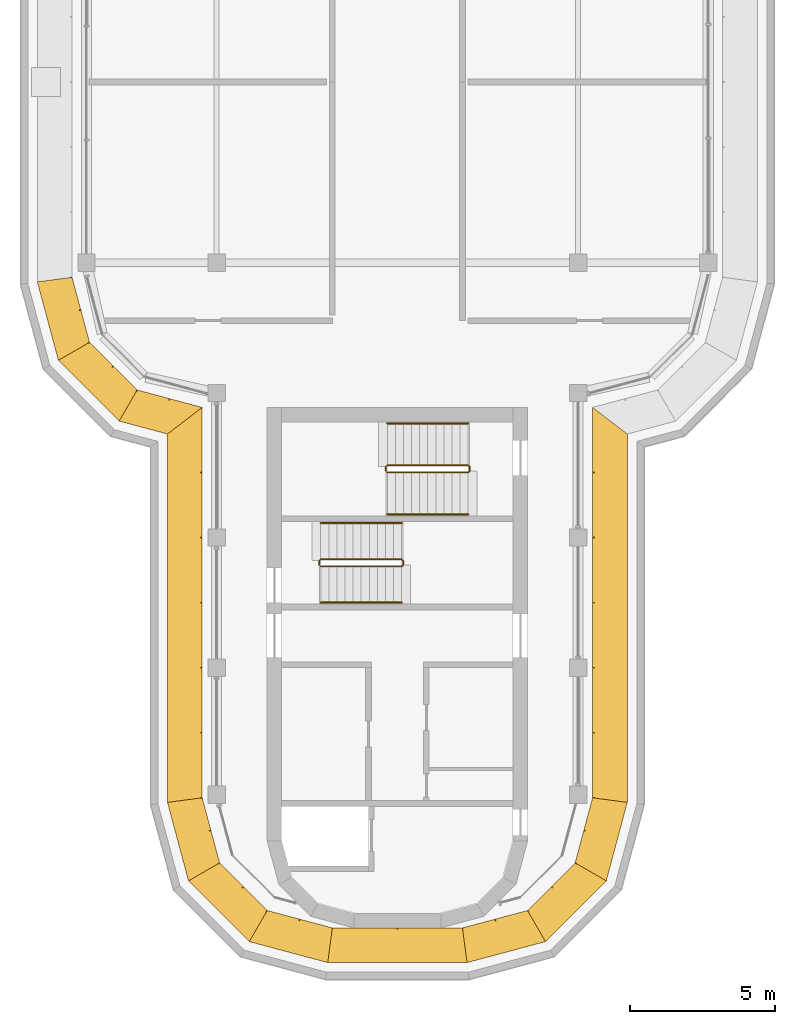
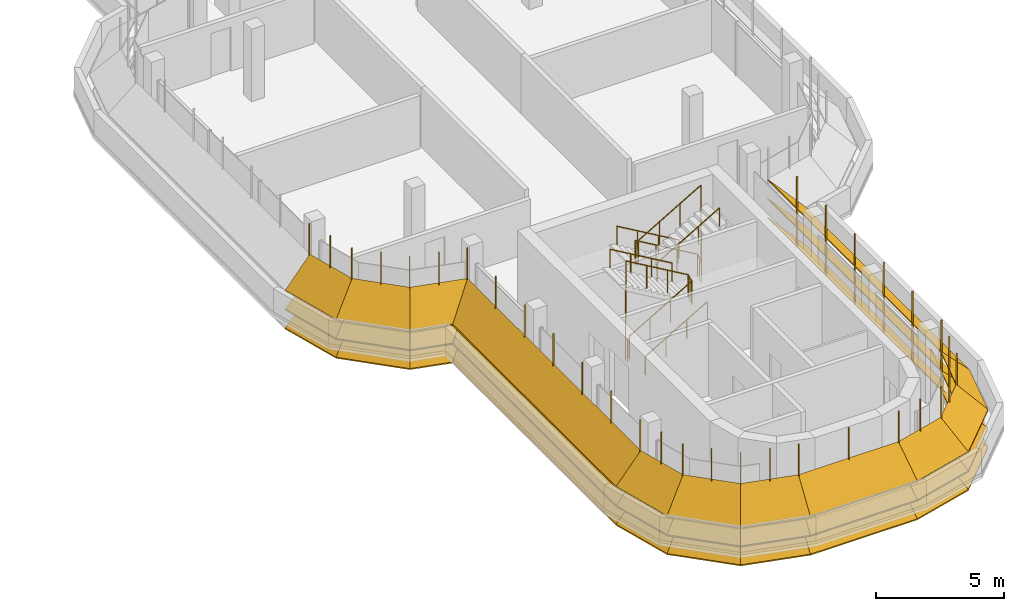
# One storey, part 11 of 13: 6 railings, 6 shading devices.
"""IFC4 building model written with IfcOpenShell, lengths in metres."""

import ifcopenshell
import ifcopenshell.guid

model = None  # the IFC model being written
_history = None  # IfcOwnerHistory: only IFC2X3 demands one
_inside = {}  # id of a spatial element -> (the spatial element, [elements in it])
_under = {}  # id of a project, library or spatial element -> (it, [spatial elements below it])
_declared = {}  # id of a project -> (the project, [libraries it declares])
_typed = {}  # id of a type object -> (the type object, [elements of that type])
_made_of = {}  # id of a material, layer set ... -> (it, [elements and type objects made of it])


def new_model(schema):
    """Start an empty IFC model of exactly this schema.

    Asked for "IFC4X3", IfcOpenShell would pick the latest addendum, in which some entities
    have other attributes; the version numbers below select the first issue.
    IFC2X3 requires an IfcOwnerHistory on every rooted entity: one is made here for all.
    """
    global model, _history
    if schema == "IFC4X3":
        model = ifcopenshell.file(schema_version=(4, 3, 0, 0))
    else:
        model = ifcopenshell.file(schema=schema)
    _inside.clear()
    _under.clear()
    _declared.clear()
    _typed.clear()
    _made_of.clear()
    _history = None
    if model.schema == "IFC2X3":
        org = make("IfcOrganization", Name="unknown")
        user = make(
            "IfcPersonAndOrganization",
            ThePerson=make("IfcPerson", FamilyName="unknown"),
            TheOrganization=org,
        )
        app = make(
            "IfcApplication",
            ApplicationDeveloper=org,
            Version="unknown",
            ApplicationFullName="unknown",
            ApplicationIdentifier="unknown",
        )
        _history = make(
            "IfcOwnerHistory",
            OwningUser=user,
            OwningApplication=app,
            ChangeAction="ADDED",
            CreationDate=0,
        )
    return model


def make(cls, **values):
    """One entity of the class cls with the attributes given. An attribute that is None is left unset."""
    return model.create_entity(
        cls, **{name: value for name, value in values.items() if value is not None}
    )


def rooted(cls, **values):
    """An entity with a GlobalId (a new one), such as an element, a storey or a relation."""
    return make(cls, GlobalId=ifcopenshell.guid.new(), OwnerHistory=_history, **values)


def si_unit(unit_type, name, prefix=None):
    """IfcSIUnit, for example si_unit("LENGTHUNIT", "METRE", prefix="MILLI")."""
    return make("IfcSIUnit", UnitType=unit_type, Prefix=prefix, Name=name)


def assignment(units):
    """IfcUnitAssignment: the units of a project."""
    return None if units is None else make("IfcUnitAssignment", Units=units)


def point(xyz):
    """IfcCartesianPoint."""
    return None if xyz is None else make("IfcCartesianPoint", Coordinates=xyz)


def direction(xyz):
    """IfcDirection."""
    return None if xyz is None else make("IfcDirection", DirectionRatios=xyz)


def frame(location, z_axis=None, x_axis=None):
    """IfcAxis2Placement3D, a coordinate frame: its origin and axes. An axis left out is left unset."""
    return make(
        "IfcAxis2Placement3D",
        Location=point(location),
        Axis=direction(z_axis),
        RefDirection=direction(x_axis),
    )


def frame_2d(location, x_axis=None):
    """IfcAxis2Placement2D, a coordinate frame in the plane: its origin and x axis."""
    return make(
        "IfcAxis2Placement2D", Location=point(location), RefDirection=direction(x_axis)
    )


def origin():
    """The frame at (0, 0, 0) with its axes left unset."""
    return frame((0.0, 0.0, 0.0))


def origin_2d():
    """The frame at (0, 0) in the plane with its x axis left unset."""
    return frame_2d((0.0, 0.0))


def place(relative_to, where):
    """IfcLocalPlacement: puts the frame where relative to a parent placement (None: the world)."""
    return make(
        "IfcLocalPlacement", PlacementRelTo=relative_to, RelativePlacement=where
    )


def context(
    kind, dimensions, precision=None, world=None, true_north=None, identifier=None
):
    """IfcGeometricRepresentationContext, for example the 3D "Model" context."""
    return make(
        "IfcGeometricRepresentationContext",
        ContextIdentifier=identifier,
        ContextType=kind,
        CoordinateSpaceDimension=dimensions,
        Precision=precision,
        WorldCoordinateSystem=world,
        TrueNorth=true_north,
    )


def subcontext(parent, identifier, kind, view, scale=None):
    """IfcGeometricRepresentationSubContext, for example "Body" below "Model"."""
    return make(
        "IfcGeometricRepresentationSubContext",
        ContextIdentifier=identifier,
        ContextType=kind,
        ParentContext=parent,
        TargetScale=scale,
        TargetView=view,
    )


def project(units=None, contexts=None):
    """IfcProject with its units and contexts."""
    return rooted(
        "IfcProject",
        Name="project",
        RepresentationContexts=contexts,
        UnitsInContext=assignment(units),
    )


def spatial(cls, under=None, at=None, **own):
    """A site, building, storey or space (cls), placed at a placement, below another one or the project."""
    s = rooted(cls, ObjectPlacement=at, **own)
    if under is not None:
        _under.setdefault(under.id(), (under, []))[1].append(s)
    return s


def polyline(points):
    """IfcPolyline through the points."""
    return make("IfcPolyline", Points=[point(p) for p in points])


def profile(cls, at=None, kind="AREA", **sizes):
    """A parametric profile (cls). Its sizes go by their IFC names, for example OverallWidth=200.0."""
    return make(cls, ProfileType=kind, Position=at, **sizes)


def circle(**sizes):
    """IfcCircleProfileDef."""
    return profile("IfcCircleProfileDef", **sizes)


def outline(outer, holes=None, kind="AREA"):
    """IfcArbitraryClosedProfileDef: a profile drawn as a closed curve; with holes, ...WithVoids."""
    if holes is None:
        return make("IfcArbitraryClosedProfileDef", ProfileType=kind, OuterCurve=outer)
    return make(
        "IfcArbitraryProfileDefWithVoids",
        ProfileType=kind,
        OuterCurve=outer,
        InnerCurves=holes,
    )


def extrude(swept, where, along, depth):
    """IfcExtrudedAreaSolid: the profile swept, set in the frame where, extruded along a direction by depth."""
    return make(
        "IfcExtrudedAreaSolid",
        SweptArea=swept,
        Position=where,
        ExtrudedDirection=direction(along),
        Depth=depth,
    )


def faces_of(points, faces, orient=None, outer=None):
    """IfcFace entities. A face is a list of loops; a loop is a list of indices into points, from 0.

    orient and outer hold one flag for each loop. By default every Orientation is true, the
    first loop of a face is its IfcFaceOuterBound and the others are IfcFaceBound.
    """
    made = []
    for i, loops in enumerate(faces):
        bounds = []
        for j, loop in enumerate(loops):
            is_outer = j == 0 if outer is None else outer[i][j]
            bounds.append(
                make(
                    "IfcFaceOuterBound" if is_outer else "IfcFaceBound",
                    Bound=make("IfcPolyLoop", Polygon=[points[k] for k in loop]),
                    Orientation=True if orient is None else orient[i][j],
                )
            )
        made.append(make("IfcFace", Bounds=bounds))
    return made


def faceted_brep(points, faces, orient=None, outer=None, voids=None):
    """IfcFacetedBrep: a solid bounded by flat faces; with voids (closed shells), ...WithVoids."""
    shared = [point(p) for p in points]
    hull = make("IfcClosedShell", CfsFaces=faces_of(shared, faces, orient, outer))
    if voids is None:
        return make("IfcFacetedBrep", Outer=hull)
    return make(
        "IfcFacetedBrepWithVoids",
        Outer=hull,
        Voids=[
            make(cls, CfsFaces=faces_of(shared, fs, o, b)) for cls, fs, o, b in voids
        ],
    )


def shape(context_of_items, identifier, shape_type, items):
    """IfcShapeRepresentation: the items that make up one representation, for example the "Body"."""
    return make(
        "IfcShapeRepresentation",
        ContextOfItems=context_of_items,
        RepresentationIdentifier=identifier,
        RepresentationType=shape_type,
        Items=items,
    )


def source(mapping_origin, context_of_items, identifier, shape_type, items):
    """IfcRepresentationMap: a shape defined once, which mapped items show again and again."""
    return make(
        "IfcRepresentationMap",
        MappingOrigin=mapping_origin,
        MappedRepresentation=shape(context_of_items, identifier, shape_type, items),
    )


def transform(
    local_origin,
    x_axis=None,
    y_axis=None,
    z_axis=None,
    scale=None,
    scale2=None,
    scale3=None,
    uniform=True,
):
    """IfcCartesianTransformationOperator3D, or its non-uniform kind. x_axis, y_axis, z_axis: its Axis1, 2, 3."""
    if uniform:
        return make(
            "IfcCartesianTransformationOperator3D",
            Axis1=direction(x_axis),
            Axis2=direction(y_axis),
            LocalOrigin=point(local_origin),
            Scale=scale,
            Axis3=direction(z_axis),
        )
    return make(
        "IfcCartesianTransformationOperator3DnonUniform",
        Axis1=direction(x_axis),
        Axis2=direction(y_axis),
        LocalOrigin=point(local_origin),
        Scale=scale,
        Axis3=direction(z_axis),
        Scale2=scale2,
        Scale3=scale3,
    )


def mapped(mapping_source, mapping_target):
    """IfcMappedItem: shows the shape of a source again, moved by a transform."""
    return make(
        "IfcMappedItem", MappingSource=mapping_source, MappingTarget=mapping_target
    )


def material(Name=None, Category=None):
    """IfcMaterial."""
    return make("IfcMaterial", Name=Name, Category=Category)


def made_of(thing, what):
    """Note that an element or type object is made of a material, layer set ...; save() writes the relation."""
    if what is not None:
        _made_of.setdefault(what.id(), (what, []))[1].append(thing)
    return thing


def type_object(cls, material=None, **own):
    """A type object (cls), such as IfcWallType, which elements share."""
    return made_of(rooted(cls, **own), material)


def element(
    cls,
    number,
    at=None,
    inside=None,
    cuts=None,
    type_object=None,
    material=None,
    context=None,
    identifier="Body",
    shape_type=None,
    held_by="IfcProductDefinitionShape",
    body=None,
    shapes=None,
    **own,
):
    """One element of the class cls, such as IfcWall. Its Tag is "e" and its number.

    at: its placement. inside: the storey or other place that contains it. cuts: it is an
    opening in that element (IfcRelVoidsElement). A single representation is given by context,
    identifier, shape_type and body (its items); several are given by shapes. held_by: the class
    of the entity that holds the representations. save() writes the other relations.
    """
    e = rooted(cls, Tag="e%d" % number, ObjectPlacement=at, **own)
    if body is not None:
        shapes = [shape(context, identifier, shape_type, body)]
    if shapes is not None:
        e.Representation = make(held_by, Representations=shapes)
    if inside is not None:
        _inside.setdefault(inside.id(), (inside, []))[1].append(e)
    if cuts is not None:
        rooted(
            "IfcRelVoidsElement", RelatingBuildingElement=cuts, RelatedOpeningElement=e
        )
    if type_object is not None:
        _typed.setdefault(type_object.id(), (type_object, []))[1].append(e)
    return made_of(e, material)


def aggregate(whole, parts):
    """IfcRelAggregates: a whole, such as a stair, and the parts it consists of."""
    return rooted("IfcRelAggregates", RelatingObject=whole, RelatedObjects=parts)


def save(model, path):
    """Write the relations noted so far, then the file.

    IfcRelAggregates (storeys below a building ...), IfcRelContainedInSpatialStructure (elements
    in a storey), IfcRelDefinesByType, IfcRelAssociatesMaterial and IfcRelDeclares: one each for
    every whole, place, type object, material and project.
    """
    for whole, parts in _under.values():
        aggregate(whole, parts)
    for where, things in _inside.values():
        rooted(
            "IfcRelContainedInSpatialStructure",
            RelatedElements=things,
            RelatingStructure=where,
        )
    for kind, things in _typed.values():
        rooted("IfcRelDefinesByType", RelatedObjects=things, RelatingType=kind)
    for what, things in _made_of.values():
        rooted("IfcRelAssociatesMaterial", RelatedObjects=things, RelatingMaterial=what)
    for by, libraries in _declared.values():
        rooted("IfcRelDeclares", RelatingContext=by, RelatedDefinitions=libraries)
    model.write(path)


model = new_model("IFC4")

# Units and contexts
model_context = context("Model", 3, precision=1e-05, world=origin(), true_north=direction((0.0, 1.0)))
body_context = subcontext(model_context, "Body", "Model", "MODEL_VIEW")
ifc_project = project(units=[si_unit("LENGTHUNIT", "METRE"), si_unit("AREAUNIT", "SQUARE_METRE"), si_unit("VOLUMEUNIT", "CUBIC_METRE"), si_unit("PLANEANGLEUNIT", "RADIAN"), si_unit("MASSUNIT", "GRAM", prefix="KILO")], contexts=[model_context])

# Site, building, storey
site_placement = place(None, origin())
site = spatial("IfcSite", under=ifc_project, at=site_placement, CompositionType="ELEMENT")
building_placement = place(site_placement, origin())
building = spatial("IfcBuilding", under=site, at=building_placement, Name="Zarbagh Exchange Tower", CompositionType="ELEMENT")
storey_placement = place(building_placement, frame((0.0, 0.0, 302.39990234375)))
storey = spatial("IfcBuildingStorey", under=building, at=storey_placement, Name="L74", CompositionType="ELEMENT", Elevation=302.39990234375)

# Railings
ifc_material_1 = material(Name="Stainless steel", Category="steel")
railing_type_1 = type_object("IfcRailingType", Name="Stair guard 1100 mm", PredefinedType="GUARDRAIL", material=ifc_material_1)
railing_1_placement = place(storey_placement, frame((-2.64990234375, -16.75, 0.163818359375)))
element("IfcRailing", 1, at=railing_1_placement, inside=storey, type_object=railing_type_1, Name="ST3 stair guard 1", PredefinedType="GUARDRAIL", context=body_context, shape_type="SweptSolid", body=[
    extrude(circle(Radius=0.02392578125, at=origin_2d()), frame((0.0, 0.0, 1.076171875), z_axis=(0.863374499697, 0.0, 0.504563646405), x_axis=(0.0, 1.0, 0.0)), (0.0, 0.0, 1.0), 3.242919921875),
    extrude(circle(Radius=0.02392578125, at=origin_2d()), frame((2.7998046875, 0.0, 2.71240234375), z_axis=(0.707106781187, 0.707106781187, 0.0), x_axis=(-0.707106781187, 0.707106781187, 0.0)), (0.0, 0.0, 1.0), 0.07080078125),
    extrude(circle(Radius=0.02392578125, at=origin_2d()), frame((2.849853515625, 0.050048828125, 2.71240234375), z_axis=(0.0, 1.0, 0.0), x_axis=(-1.0, 0.0, 0.0)), (0.0, 0.0, 1.0), 0.14990234375),
    extrude(circle(Radius=0.02392578125, at=origin_2d()), frame((2.849853515625, 0.199951171875, 2.71240234375), z_axis=(-0.280808744504, 0.280808744504, 0.917765164963), x_axis=(-0.707106781187, -0.707106781187, 0.0)), (0.0, 0.0, 1.0), 0.17822265625),
    extrude(circle(Radius=0.02392578125, at=origin_2d()), frame((2.7998046875, 0.25, 2.8759765625), z_axis=(-0.863341702679, 0.0, 0.504619762213), x_axis=(0.0, -1.0, 0.0)), (0.0, 0.0, 1.0), 3.242919921875),
    extrude(circle(Radius=0.02392578125, at=origin_2d()), frame((0.0, 0.25, 4.51220703125), z_axis=(-0.013899389096, -0.013899389096, -0.999806788317), x_axis=(0.707106781187, -0.707106781187, 0.0)), (0.0, 0.0, 1.0), 3.600830078125),
    extrude(circle(Radius=0.02392578125, at=origin_2d()), frame((-0.050048828125, 0.199951171875, 0.912109375), z_axis=(0.0, -1.0, 0.0), x_axis=(1.0, 0.0, 0.0)), (0.0, 0.0, 1.0), 0.14990234375),
    extrude(circle(Radius=0.02099609375, at=origin_2d()), origin(), (0.0, 0.0, 1.0), 1.052001953125),
    extrude(circle(Radius=0.02099609375, at=origin_2d()), frame((0.933349609375, 0.0, 0.54541015625)), (0.0, 0.0, 1.0), 1.052001953125),
    extrude(circle(Radius=0.02099609375, at=origin_2d()), frame((1.866455078125, 0.0, 1.0908203125)), (0.0, 0.0, 1.0), 1.052001953125),
    extrude(circle(Radius=0.02099609375, at=origin_2d()), frame((2.7998046875, 0.0, 1.63623046875)), (0.0, 0.0, 1.0), 1.052001953125),
    extrude(circle(Radius=0.02099609375, at=origin_2d()), frame((2.849853515625, 0.050048828125, 1.63623046875)), (0.0, 0.0, 1.0), 1.052001953125),
    extrude(circle(Radius=0.02099609375, at=origin_2d()), frame((2.849853515625, 0.199951171875, 1.63623046875)), (0.0, 0.0, 1.0), 1.052001953125),
    extrude(circle(Radius=0.02099609375, at=origin_2d()), frame((2.7998046875, 0.25, 1.7998046875)), (0.0, 0.0, 1.0), 1.052001953125),
    extrude(circle(Radius=0.02099609375, at=origin_2d()), frame((1.866455078125, 0.25, 2.34521484375)), (0.0, 0.0, 1.0), 1.052001953125),
    extrude(circle(Radius=0.02099609375, at=origin_2d()), frame((0.933349609375, 0.25, 2.890869140625)), (0.0, 0.0, 1.0), 1.052001953125),
    extrude(circle(Radius=0.02099609375, at=origin_2d()), frame((0.0, 0.25, 3.436279296875)), (0.0, 0.0, 1.0), 1.052001953125),
    extrude(circle(Radius=0.02099609375, at=origin_2d()), frame((-0.012451171875, 0.237548828125, 2.5361328125)), (0.0, 0.0, 1.0), 1.052001953125),
    extrude(circle(Radius=0.02099609375, at=origin_2d()), frame((-0.02490234375, 0.22509765625, 1.63623046875)), (0.0, 0.0, 1.0), 1.052001953125),
    extrude(circle(Radius=0.02099609375, at=origin_2d()), frame((-0.03759765625, 0.21240234375, 0.736328125)), (0.0, 0.0, 1.0), 1.052001953125),
    extrude(circle(Radius=0.02099609375, at=origin_2d()), frame((-0.050048828125, 0.199951171875, -0.163818359375)), (0.0, 0.0, 1.0), 1.052001953125),
    extrude(circle(Radius=0.02099609375, at=origin_2d()), frame((-0.050048828125, 0.050048828125, -0.163818359375)), (0.0, 0.0, 1.0), 1.052001953125),
])
railing_2_placement = place(storey_placement, frame((-0.35009765625, -13.5, 1.963623046875)))
element("IfcRailing", 2, at=railing_2_placement, inside=storey, type_object=railing_type_1, Name="ST4 stair guard 1", PredefinedType="GUARDRAIL", context=body_context, shape_type="SweptSolid", body=[
    extrude(circle(Radius=0.02392578125, at=origin_2d()), frame((0.0, 0.0, 1.076171875), z_axis=(0.863360870873, 0.0, 0.504586966384), x_axis=(0.0, 1.0, 0.0)), (0.0, 0.0, 1.0), 3.2431640625),
    extrude(circle(Radius=0.02392578125, at=origin_2d()), frame((2.800048828125, 0.0, 2.71240234375), z_axis=(0.013899389096, 0.013899389096, -0.999806788317), x_axis=(-0.707106781187, 0.707106781187, 0.0)), (0.0, 0.0, 1.0), 3.600830078125),
    extrude(circle(Radius=0.02392578125, at=origin_2d()), frame((2.85009765625, 0.050048828125, -0.8876953125), z_axis=(0.0, 1.0, 0.0), x_axis=(-1.0, 0.0, 0.0)), (0.0, 0.0, 1.0), 0.14990234375),
    extrude(circle(Radius=0.02392578125, at=origin_2d()), frame((2.85009765625, 0.199951171875, -0.8876953125), z_axis=(-0.280456126637, 0.280456126637, 0.917980785237), x_axis=(-0.707106781187, -0.707106781187, 0.0)), (0.0, 0.0, 1.0), 0.178466796875),
    extrude(circle(Radius=0.02392578125, at=origin_2d()), frame((2.800048828125, 0.25, -0.7236328125), z_axis=(-0.863393664356, 0.0, 0.504530851732), x_axis=(0.0, -1.0, 0.0)), (0.0, 0.0, 1.0), 3.2431640625),
    extrude(circle(Radius=0.02392578125, at=origin_2d()), frame((0.0, 0.25, 0.91259765625), z_axis=(-0.705375805398, -0.708833529934, 0.0), x_axis=(0.708833529934, -0.705375805398, 0.0)), (0.0, 0.0, 1.0), 0.070556640625),
    extrude(circle(Radius=0.02392578125, at=origin_2d()), frame((-0.0498046875, 0.199951171875, 0.91259765625), z_axis=(0.0, -1.0, 0.0), x_axis=(1.0, 0.0, 0.0)), (0.0, 0.0, 1.0), 0.14990234375),
    extrude(circle(Radius=0.02099609375, at=origin_2d()), origin(), (0.0, 0.0, 1.0), 1.052001953125),
    extrude(circle(Radius=0.02099609375, at=origin_2d()), frame((0.933349609375, 0.0, 0.54541015625)), (0.0, 0.0, 1.0), 1.052001953125),
    extrude(circle(Radius=0.02099609375, at=origin_2d()), frame((1.86669921875, 0.0, 1.091064453125)), (0.0, 0.0, 1.0), 1.052001953125),
    extrude(circle(Radius=0.02099609375, at=origin_2d()), frame((2.800048828125, 0.0, 1.636474609375)), (0.0, 0.0, 1.0), 1.052001953125),
    extrude(circle(Radius=0.02099609375, at=origin_2d()), frame((2.8125, 0.012451171875, 0.736328125)), (0.0, 0.0, 1.0), 1.052001953125),
    extrude(circle(Radius=0.02099609375, at=origin_2d()), frame((2.8251953125, 0.02490234375, -0.16357421875)), (0.0, 0.0, 1.0), 1.052001953125),
    extrude(circle(Radius=0.02099609375, at=origin_2d()), frame((2.837646484375, 0.03759765625, -1.0634765625)), (0.0, 0.0, 1.0), 1.052001953125),
    extrude(circle(Radius=0.02099609375, at=origin_2d()), frame((2.85009765625, 0.050048828125, -1.963623046875)), (0.0, 0.0, 1.0), 1.052001953125),
    extrude(circle(Radius=0.02099609375, at=origin_2d()), frame((2.85009765625, 0.199951171875, -1.963623046875)), (0.0, 0.0, 1.0), 1.052001953125),
    extrude(circle(Radius=0.02099609375, at=origin_2d()), frame((2.800048828125, 0.25, -1.7998046875)), (0.0, 0.0, 1.0), 1.052001953125),
    extrude(circle(Radius=0.02099609375, at=origin_2d()), frame((1.86669921875, 0.25, -1.25439453125)), (0.0, 0.0, 1.0), 1.052001953125),
    extrude(circle(Radius=0.02099609375, at=origin_2d()), frame((0.933349609375, 0.25, -0.708984375)), (0.0, 0.0, 1.0), 1.052001953125),
    extrude(circle(Radius=0.02099609375, at=origin_2d()), frame((0.0, 0.25, -0.16357421875)), (0.0, 0.0, 1.0), 1.052001953125),
    extrude(circle(Radius=0.02099609375, at=origin_2d()), frame((-0.0498046875, 0.199951171875, -0.16357421875)), (0.0, 0.0, 1.0), 1.052001953125),
    extrude(circle(Radius=0.02099609375, at=origin_2d()), frame((-0.0498046875, 0.050048828125, -0.16357421875)), (0.0, 0.0, 1.0), 1.052001953125),
])
railing_type_2 = type_object("IfcRailingType", Name="Stair handrail 900 mm", PredefinedType="HANDRAIL", material=ifc_material_1)
railing_3_placement = place(storey_placement, frame((-2.64990234375, -18.0, 0.163818359375)))
element("IfcRailing", 3, at=railing_3_placement, inside=storey, type_object=railing_type_2, Name="ST3 stair handrail 1", PredefinedType="HANDRAIL", context=body_context, shape_type="SweptSolid", body=[
    extrude(circle(Radius=0.02392578125, at=origin_2d()), frame((0.0, 0.0, 0.8759765625), z_axis=(0.863374499697, 0.0, 0.504563646405), x_axis=(0.0, 1.0, 0.0)), (0.0, 0.0, 1.0), 3.242919921875),
    extrude(circle(Radius=0.02099609375, at=origin_2d()), origin(), (0.0, 0.0, 1.0), 0.851806640625),
    extrude(circle(Radius=0.02099609375, at=origin_2d()), frame((0.933349609375, 0.0, 0.54541015625)), (0.0, 0.0, 1.0), 0.851806640625),
    extrude(circle(Radius=0.02099609375, at=origin_2d()), frame((1.866455078125, 0.0, 1.0908203125)), (0.0, 0.0, 1.0), 0.851806640625),
    extrude(circle(Radius=0.02099609375, at=origin_2d()), frame((2.7998046875, 0.0, 1.63623046875)), (0.0, 0.0, 1.0), 0.851806640625),
])
railing_4_placement = place(storey_placement, frame((0.14990234375, -15.25, 1.963623046875)))
element("IfcRailing", 4, at=railing_4_placement, inside=storey, type_object=railing_type_2, Name="ST3 stair handrail 2", PredefinedType="HANDRAIL", context=body_context, shape_type="SweptSolid", body=[
    extrude(circle(Radius=0.02392578125, at=origin_2d()), frame((0.0, 0.0, 0.8759765625), z_axis=(-0.863341702679, 0.0, 0.504619762213), x_axis=(0.0, -1.0, 0.0)), (0.0, 0.0, 1.0), 3.242919921875),
    extrude(circle(Radius=0.02099609375, at=origin_2d()), origin(), (0.0, 0.0, 1.0), 0.851806640625),
    extrude(circle(Radius=0.02099609375, at=origin_2d()), frame((-0.933349609375, 0.0, 0.54541015625)), (0.0, 0.0, 1.0), 0.851806640625),
    extrude(circle(Radius=0.02099609375, at=origin_2d()), frame((-1.866455078125, 0.0, 1.091064453125)), (0.0, 0.0, 1.0), 0.851806640625),
    extrude(circle(Radius=0.02099609375, at=origin_2d()), frame((-2.7998046875, 0.0, 1.636474609375)), (0.0, 0.0, 1.0), 0.851806640625),
])
railing_5_placement = place(storey_placement, frame((2.449951171875, -11.800048828125, 0.163818359375)))
element("IfcRailing", 5, at=railing_5_placement, inside=storey, type_object=railing_type_2, Name="ST4 stair handrail 1", PredefinedType="HANDRAIL", context=body_context, shape_type="SweptSolid", body=[
    extrude(circle(Radius=0.02392578125, at=origin_2d()), frame((0.0, 0.0, 0.8759765625), z_axis=(-0.863393664356, 0.0, 0.504530851732), x_axis=(0.0, -1.0, 0.0)), (0.0, 0.0, 1.0), 3.2431640625),
    extrude(circle(Radius=0.02099609375, at=origin_2d()), origin(), (0.0, 0.0, 1.0), 0.851806640625),
    extrude(circle(Radius=0.02099609375, at=origin_2d()), frame((-0.933349609375, 0.0, 0.54541015625)), (0.0, 0.0, 1.0), 0.851806640625),
    extrude(circle(Radius=0.02099609375, at=origin_2d()), frame((-1.86669921875, 0.0, 1.0908203125)), (0.0, 0.0, 1.0), 0.851806640625),
    extrude(circle(Radius=0.02099609375, at=origin_2d()), frame((-2.800048828125, 0.0, 1.63623046875)), (0.0, 0.0, 1.0), 0.851806640625),
])
railing_6_placement = place(storey_placement, frame((-0.35009765625, -14.949951171875, 1.963623046875)))
element("IfcRailing", 6, at=railing_6_placement, inside=storey, type_object=railing_type_2, Name="ST4 stair handrail 2", PredefinedType="HANDRAIL", context=body_context, shape_type="SweptSolid", body=[
    extrude(circle(Radius=0.02392578125, at=origin_2d()), frame((0.0, 0.0, 0.8759765625), z_axis=(0.863360870873, 0.0, 0.504586966384), x_axis=(0.0, 1.0, 0.0)), (0.0, 0.0, 1.0), 3.2431640625),
    extrude(circle(Radius=0.02099609375, at=origin_2d()), origin(), (0.0, 0.0, 1.0), 0.851806640625),
    extrude(circle(Radius=0.02099609375, at=origin_2d()), frame((0.933349609375, 0.0, 0.54541015625)), (0.0, 0.0, 1.0), 0.851806640625),
    extrude(circle(Radius=0.02099609375, at=origin_2d()), frame((1.86669921875, 0.0, 1.091064453125)), (0.0, 0.0, 1.0), 0.851806640625),
    extrude(circle(Radius=0.02099609375, at=origin_2d()), frame((2.800048828125, 0.0, 1.636474609375)), (0.0, 0.0, 1.0), 0.851806640625),
])

# Shading devices
ifc_material_2 = material(Name="Anodised aluminium blades and brackets", Category="aluminium")
shading_device_type = type_object("IfcShadingDeviceType", Name="SUNSHADE louvre band, 45 degree blades", PredefinedType="JALOUSIE", material=ifc_material_2)
shared_shape_1 = source(origin(), body_context, "Body", "Brep", [
    faceted_brep([(0.0, 0.0, 0.0), (0.0, 0.0, -0.056640625), (-0.157958984375, -1.199951171875, -1.256591796875), (-0.157958984375, -1.199951171875, -1.199951171875), (2.65087890625, -1.199951171875, -1.199951171875), (2.65087890625, -1.199951171875, -1.256591796875), (2.329345703125, 0.0, -0.056640625), (2.329345703125, 0.0, 0.0)], [[[0, 1, 2, 3]], [[4, 5, 6, 7]], [[0, 7, 6, 1]], [[1, 6, 5, 2]], [[2, 5, 4, 3]], [[3, 4, 7, 0]]]),
])
shared_shape_2 = source(origin(), body_context, "Body", "Brep", [
    faceted_brep([(0.0, 0.0, 0.0), (0.0, 0.0, -0.056640625), (-0.321533203125, -1.199951171875, -1.256591796875), (-0.321533203125, -1.199951171875, -1.199951171875), (2.65087890625, -1.199951171875, -1.199951171875), (2.65087890625, -1.199951171875, -1.256591796875), (2.329345703125, 0.0, -0.056640625), (2.329345703125, 0.0, 0.0)], [[[0, 1, 2, 3]], [[4, 5, 6, 7]], [[0, 7, 6, 1]], [[1, 6, 5, 2]], [[2, 5, 4, 3]], [[3, 4, 7, 0]]]),
])
shared_shape_3 = source(origin(), body_context, "Body", "Brep", [
    faceted_brep([(0.0, 0.0, 0.0), (0.0, 0.0, -0.056640625), (-0.321533203125, -1.199951171875, -1.256591796875), (-0.321533203125, -1.199951171875, -1.199951171875), (2.4873046875, -1.199951171875, -1.199951171875), (2.4873046875, -1.199951171875, -1.256591796875), (2.329345703125, 0.0, -0.056640625), (2.329345703125, 0.0, 0.0)], [[[0, 1, 2, 3]], [[4, 5, 6, 7]], [[0, 7, 6, 1]], [[1, 6, 5, 2]], [[2, 5, 4, 3]], [[3, 4, 7, 0]]]),
])
shared_shape_4 = source(origin(), body_context, "Body", "SweptSolid", [
    extrude(outline(polyline([(0.0, -0.012451171875), (0.06005859375, -0.012451171875), (0.06005859375, 0.012451171875), (0.0, 0.012451171875), (0.0, -0.012451171875)])), origin(), (0.0, 0.0, 1.0), 3.366455078125),
])
placement = place(storey_placement, origin())
element("IfcShadingDevice", 7, at=placement, inside=storey, type_object=shading_device_type, Name="SS55 sunshade band", PredefinedType="JALOUSIE", context=body_context, shape_type="MappedRepresentation", body=[
    mapped(shared_shape_1, transform((2.25, -29.25, 2.10009765625), x_axis=(0.965924289636, 0.258824779902, 0.0), y_axis=(-0.258824779902, 0.965924289636, 0.0), z_axis=(0.0, 0.0, 1.0))),
    mapped(shared_shape_1, transform((2.25, -29.25, 1.2001953125), x_axis=(0.965924289636, 0.258824779902, 0.0), y_axis=(-0.258824779902, 0.965924289636, 0.0), z_axis=(0.0, 0.0, 1.0))),
    mapped(shared_shape_1, transform((2.25, -29.25, 0.300048828125), x_axis=(0.965924289636, 0.258824779902, 0.0), y_axis=(-0.258824779902, 0.965924289636, 0.0), z_axis=(0.0, 0.0, 1.0))),
    mapped(shared_shape_2, transform((4.5, -28.647216796875, 2.10009765625), x_axis=(0.707106781187, 0.707106781187, 0.0), y_axis=(-0.707106781187, 0.707106781187, 0.0), z_axis=(0.0, 0.0, 1.0))),
    mapped(shared_shape_2, transform((4.5, -28.647216796875, 1.2001953125), x_axis=(0.707106781187, 0.707106781187, 0.0), y_axis=(-0.707106781187, 0.707106781187, 0.0), z_axis=(0.0, 0.0, 1.0))),
    mapped(shared_shape_2, transform((4.5, -28.647216796875, 0.300048828125), x_axis=(0.707106781187, 0.707106781187, 0.0), y_axis=(-0.707106781187, 0.707106781187, 0.0), z_axis=(0.0, 0.0, 1.0))),
    mapped(shared_shape_3, transform((6.147216796875, -27.0, 2.10009765625), x_axis=(0.258824779902, 0.965924289636, 0.0), y_axis=(-0.965924289636, 0.258824779902, 0.0), z_axis=(0.0, 0.0, 1.0))),
    mapped(shared_shape_3, transform((6.147216796875, -27.0, 1.2001953125), x_axis=(0.258824779902, 0.965924289636, 0.0), y_axis=(-0.965924289636, 0.258824779902, 0.0), z_axis=(0.0, 0.0, 1.0))),
    mapped(shared_shape_3, transform((6.147216796875, -27.0, 0.300048828125), x_axis=(0.258824779902, 0.965924289636, 0.0), y_axis=(-0.965924289636, 0.258824779902, 0.0), z_axis=(0.0, 0.0, 1.0))),
    mapped(shared_shape_4, transform((2.25, -29.25, 0.213623046875), x_axis=(0.130529263012, -0.991444457092, 0.0), y_axis=(0.991444457092, 0.130529263012, 0.0), z_axis=(0.0, 0.0, 1.0))),
    mapped(shared_shape_4, transform((3.375, -28.948486328125, 0.213623046875), x_axis=(0.258825058029, -0.96592421511, 0.0), y_axis=(0.96592421511, 0.258825058029, 0.0), z_axis=(0.0, 0.0, 1.0))),
    mapped(shared_shape_4, transform((4.5, -28.647216796875, 0.213623046875), x_axis=(0.50000275701, -0.866023812018, 0.0), y_axis=(0.866023812018, 0.50000275701, 0.0), z_axis=(0.0, 0.0, 1.0))),
    mapped(shared_shape_4, transform((5.323486328125, -27.823486328125, 0.213623046875), x_axis=(0.707106781187, -0.707106781187, 0.0), y_axis=(0.707106781187, 0.707106781187, 0.0), z_axis=(0.0, 0.0, 1.0))),
    mapped(shared_shape_4, transform((6.147216796875, -27.0, 0.213623046875), x_axis=(0.866023812018, -0.50000275701, 0.0), y_axis=(0.50000275701, 0.866023812018, 0.0), z_axis=(0.0, 0.0, 1.0))),
    mapped(shared_shape_4, transform((6.448486328125, -25.875, 0.213623046875), x_axis=(0.96592421511, -0.258825058029, 0.0), y_axis=(0.258825058029, 0.96592421511, 0.0), z_axis=(0.0, 0.0, 1.0))),
])
shared_shape_5 = source(origin(), body_context, "Body", "Brep", [
    faceted_brep([(0.0, 0.0, 0.0), (0.0, 0.0, -0.056640625), (-0.321533203125, -1.199951171875, -1.256591796875), (-0.321533203125, -1.199951171875, -1.199951171875), (1.40869140625, -1.199951171875, -1.199951171875), (1.40869140625, -1.199951171875, -1.256591796875), (2.329345703125, 0.0, -0.056640625), (2.329345703125, 0.0, 0.0)], [[[0, 1, 2, 3]], [[4, 5, 6, 7]], [[0, 7, 6, 1]], [[1, 6, 5, 2]], [[2, 5, 4, 3]], [[3, 4, 7, 0]]]),
])
element("IfcShadingDevice", 8, at=placement, inside=storey, type_object=shading_device_type, Name="SS21 sunshade band", PredefinedType="JALOUSIE", context=body_context, shape_type="MappedRepresentation", body=[
    mapped(shared_shape_1, transform((-11.25, -6.75, 2.10009765625), x_axis=(0.258824779902, -0.965924289636, 0.0), y_axis=(0.965924289636, 0.258824779902, 0.0), z_axis=(0.0, 0.0, 1.0))),
    mapped(shared_shape_1, transform((-11.25, -6.75, 1.2001953125), x_axis=(0.258824779902, -0.965924289636, 0.0), y_axis=(0.965924289636, 0.258824779902, 0.0), z_axis=(0.0, 0.0, 1.0))),
    mapped(shared_shape_1, transform((-11.25, -6.75, 0.300048828125), x_axis=(0.258824779902, -0.965924289636, 0.0), y_axis=(0.965924289636, 0.258824779902, 0.0), z_axis=(0.0, 0.0, 1.0))),
    mapped(shared_shape_2, transform((-10.647216796875, -9.0, 2.10009765625), x_axis=(0.707106781187, -0.707106781187, 0.0), y_axis=(0.707106781187, 0.707106781187, 0.0), z_axis=(0.0, 0.0, 1.0))),
    mapped(shared_shape_2, transform((-10.647216796875, -9.0, 1.2001953125), x_axis=(0.707106781187, -0.707106781187, 0.0), y_axis=(0.707106781187, 0.707106781187, 0.0), z_axis=(0.0, 0.0, 1.0))),
    mapped(shared_shape_2, transform((-10.647216796875, -9.0, 0.300048828125), x_axis=(0.707106781187, -0.707106781187, 0.0), y_axis=(0.707106781187, 0.707106781187, 0.0), z_axis=(0.0, 0.0, 1.0))),
    mapped(shared_shape_5, transform((-9.0, -10.647216796875, 2.10009765625), x_axis=(0.965924289636, -0.258824779902, 0.0), y_axis=(0.258824779902, 0.965924289636, 0.0), z_axis=(0.0, 0.0, 1.0))),
    mapped(shared_shape_5, transform((-9.0, -10.647216796875, 1.2001953125), x_axis=(0.965924289636, -0.258824779902, 0.0), y_axis=(0.258824779902, 0.965924289636, 0.0), z_axis=(0.0, 0.0, 1.0))),
    mapped(shared_shape_5, transform((-9.0, -10.647216796875, 0.300048828125), x_axis=(0.965924289636, -0.258824779902, 0.0), y_axis=(0.258824779902, 0.965924289636, 0.0), z_axis=(0.0, 0.0, 1.0))),
    mapped(shared_shape_4, transform((-11.25, -6.75, 0.213623046875), x_axis=(-0.991444457092, -0.130529263012, 0.0), y_axis=(0.130529263012, -0.991444457092, 0.0), z_axis=(0.0, 0.0, 1.0))),
    mapped(shared_shape_4, transform((-10.948486328125, -7.875, 0.213623046875), x_axis=(-0.96592421511, -0.258825058029, 0.0), y_axis=(0.258825058029, -0.96592421511, 0.0), z_axis=(0.0, 0.0, 1.0))),
    mapped(shared_shape_4, transform((-10.647216796875, -9.0, 0.213623046875), x_axis=(-0.866023812018, -0.50000275701, 0.0), y_axis=(0.50000275701, -0.866023812018, 0.0), z_axis=(0.0, 0.0, 1.0))),
    mapped(shared_shape_4, transform((-9.823486328125, -9.823486328125, 0.213623046875), x_axis=(-0.707106781187, -0.707106781187, 0.0), y_axis=(0.707106781187, -0.707106781187, 0.0), z_axis=(0.0, 0.0, 1.0))),
    mapped(shared_shape_4, transform((-9.0, -10.647216796875, 0.213623046875), x_axis=(-0.50000275701, -0.866023812018, 0.0), y_axis=(0.866023812018, -0.50000275701, 0.0), z_axis=(0.0, 0.0, 1.0))),
    mapped(shared_shape_4, transform((-7.875, -10.948486328125, 0.213623046875), x_axis=(-0.258825058029, -0.96592421511, 0.0), y_axis=(0.96592421511, -0.258825058029, 0.0), z_axis=(0.0, 0.0, 1.0))),
])
element("IfcShadingDevice", 9, at=placement, inside=storey, type_object=shading_device_type, Name="SS68 sunshade band", PredefinedType="JALOUSIE", context=body_context, shape_type="MappedRepresentation", body=[
    mapped(shared_shape_1, transform((-6.75, -24.75, 2.10009765625), x_axis=(0.258824779902, -0.965924289636, 0.0), y_axis=(0.965924289636, 0.258824779902, 0.0), z_axis=(0.0, 0.0, 1.0))),
    mapped(shared_shape_1, transform((-6.75, -24.75, 1.2001953125), x_axis=(0.258824779902, -0.965924289636, 0.0), y_axis=(0.965924289636, 0.258824779902, 0.0), z_axis=(0.0, 0.0, 1.0))),
    mapped(shared_shape_1, transform((-6.75, -24.75, 0.300048828125), x_axis=(0.258824779902, -0.965924289636, 0.0), y_axis=(0.965924289636, 0.258824779902, 0.0), z_axis=(0.0, 0.0, 1.0))),
    mapped(shared_shape_2, transform((-6.147216796875, -27.0, 2.10009765625), x_axis=(0.707106781187, -0.707106781187, 0.0), y_axis=(0.707106781187, 0.707106781187, 0.0), z_axis=(0.0, 0.0, 1.0))),
    mapped(shared_shape_2, transform((-6.147216796875, -27.0, 1.2001953125), x_axis=(0.707106781187, -0.707106781187, 0.0), y_axis=(0.707106781187, 0.707106781187, 0.0), z_axis=(0.0, 0.0, 1.0))),
    mapped(shared_shape_2, transform((-6.147216796875, -27.0, 0.300048828125), x_axis=(0.707106781187, -0.707106781187, 0.0), y_axis=(0.707106781187, 0.707106781187, 0.0), z_axis=(0.0, 0.0, 1.0))),
    mapped(shared_shape_3, transform((-4.5, -28.647216796875, 2.10009765625), x_axis=(0.965924289636, -0.258824779902, 0.0), y_axis=(0.258824779902, 0.965924289636, 0.0), z_axis=(0.0, 0.0, 1.0))),
    mapped(shared_shape_3, transform((-4.5, -28.647216796875, 1.2001953125), x_axis=(0.965924289636, -0.258824779902, 0.0), y_axis=(0.258824779902, 0.965924289636, 0.0), z_axis=(0.0, 0.0, 1.0))),
    mapped(shared_shape_3, transform((-4.5, -28.647216796875, 0.300048828125), x_axis=(0.965924289636, -0.258824779902, 0.0), y_axis=(0.258824779902, 0.965924289636, 0.0), z_axis=(0.0, 0.0, 1.0))),
    mapped(shared_shape_4, transform((-6.75, -24.75, 0.213623046875), x_axis=(-0.991444457092, -0.130529263012, 0.0), y_axis=(0.130529263012, -0.991444457092, 0.0), z_axis=(0.0, 0.0, 1.0))),
    mapped(shared_shape_4, transform((-6.448486328125, -25.875, 0.213623046875), x_axis=(-0.96592421511, -0.258825058029, 0.0), y_axis=(0.258825058029, -0.96592421511, 0.0), z_axis=(0.0, 0.0, 1.0))),
    mapped(shared_shape_4, transform((-6.147216796875, -27.0, 0.213623046875), x_axis=(-0.866023812018, -0.50000275701, 0.0), y_axis=(0.50000275701, -0.866023812018, 0.0), z_axis=(0.0, 0.0, 1.0))),
    mapped(shared_shape_4, transform((-5.323486328125, -27.823486328125, 0.213623046875), x_axis=(-0.707106781187, -0.707106781187, 0.0), y_axis=(0.707106781187, -0.707106781187, 0.0), z_axis=(0.0, 0.0, 1.0))),
    mapped(shared_shape_4, transform((-4.5, -28.647216796875, 0.213623046875), x_axis=(-0.50000275701, -0.866023812018, 0.0), y_axis=(0.866023812018, -0.50000275701, 0.0), z_axis=(0.0, 0.0, 1.0))),
    mapped(shared_shape_4, transform((-3.375, -28.948486328125, 0.213623046875), x_axis=(-0.258825058029, -0.96592421511, 0.0), y_axis=(0.96592421511, -0.258825058029, 0.0), z_axis=(0.0, 0.0, 1.0))),
])
shared_shape_6 = source(origin(), body_context, "Body", "Brep", [
    faceted_brep([(0.0, 0.0, 0.0), (0.0, 0.0, -0.056640625), (-0.157958984375, -1.199951171875, -1.256591796875), (-0.157958984375, -1.199951171875, -1.199951171875), (12.5791015625, -1.199951171875, -1.199951171875), (12.5791015625, -1.199951171875, -1.256591796875), (13.5, 0.0, -0.056640625), (13.5, 0.0, 0.0)], [[[0, 1, 2, 3]], [[4, 5, 6, 7]], [[0, 7, 6, 1]], [[1, 6, 5, 2]], [[2, 5, 4, 3]], [[3, 4, 7, 0]]]),
])
element("IfcShadingDevice", 10, at=placement, inside=storey, type_object=shading_device_type, Name="SS56 sunshade band", PredefinedType="JALOUSIE", context=body_context, shape_type="MappedRepresentation", body=[
    mapped(shared_shape_6, transform((6.75, -24.75, 2.10009765625), x_axis=(0.0, 1.0, 0.0), y_axis=(-1.0, 0.0, 0.0), z_axis=(0.0, 0.0, 1.0))),
    mapped(shared_shape_6, transform((6.75, -24.75, 1.2001953125), x_axis=(0.0, 1.0, 0.0), y_axis=(-1.0, 0.0, 0.0), z_axis=(0.0, 0.0, 1.0))),
    mapped(shared_shape_6, transform((6.75, -24.75, 0.300048828125), x_axis=(0.0, 1.0, 0.0), y_axis=(-1.0, 0.0, 0.0), z_axis=(0.0, 0.0, 1.0))),
    mapped(shared_shape_4, transform((6.75, -24.75, 0.213623046875), x_axis=(0.991444457092, -0.130529263012, 0.0), y_axis=(0.130529263012, 0.991444457092, 0.0), z_axis=(0.0, 0.0, 1.0))),
    mapped(shared_shape_4, transform((6.75, -22.5, 0.213623046875), x_axis=(1.0, 0.0, 0.0), y_axis=(0.0, 1.0, 0.0), z_axis=(0.0, 0.0, 1.0))),
    mapped(shared_shape_4, transform((6.75, -20.25, 0.213623046875), x_axis=(1.0, 0.0, 0.0), y_axis=(0.0, 1.0, 0.0), z_axis=(0.0, 0.0, 1.0))),
    mapped(shared_shape_4, transform((6.75, -18.0, 0.213623046875), x_axis=(1.0, 0.0, 0.0), y_axis=(0.0, 1.0, 0.0), z_axis=(0.0, 0.0, 1.0))),
    mapped(shared_shape_4, transform((6.75, -15.75, 0.213623046875), x_axis=(1.0, 0.0, 0.0), y_axis=(0.0, 1.0, 0.0), z_axis=(0.0, 0.0, 1.0))),
    mapped(shared_shape_4, transform((6.75, -13.5, 0.213623046875), x_axis=(1.0, 0.0, 0.0), y_axis=(0.0, 1.0, 0.0), z_axis=(0.0, 0.0, 1.0))),
])
shared_shape_7 = source(origin(), body_context, "Body", "Brep", [
    faceted_brep([(0.0, 0.0, 0.0), (0.0, 0.0, -0.056640625), (0.9208984375, -1.199951171875, -1.256591796875), (0.9208984375, -1.199951171875, -1.199951171875), (13.657958984375, -1.199951171875, -1.199951171875), (13.657958984375, -1.199951171875, -1.256591796875), (13.5, 0.0, -0.056640625), (13.5, 0.0, 0.0)], [[[0, 1, 2, 3]], [[4, 5, 6, 7]], [[0, 7, 6, 1]], [[1, 6, 5, 2]], [[2, 5, 4, 3]], [[3, 4, 7, 0]]]),
])
element("IfcShadingDevice", 11, at=placement, inside=storey, type_object=shading_device_type, Name="SS67 sunshade band", PredefinedType="JALOUSIE", context=body_context, shape_type="MappedRepresentation", body=[
    mapped(shared_shape_7, transform((-6.75, -11.25, 2.10009765625), x_axis=(0.0, -1.0, 0.0), y_axis=(1.0, 0.0, 0.0), z_axis=(0.0, 0.0, 1.0))),
    mapped(shared_shape_7, transform((-6.75, -11.25, 1.2001953125), x_axis=(0.0, -1.0, 0.0), y_axis=(1.0, 0.0, 0.0), z_axis=(0.0, 0.0, 1.0))),
    mapped(shared_shape_7, transform((-6.75, -11.25, 0.300048828125), x_axis=(0.0, -1.0, 0.0), y_axis=(1.0, 0.0, 0.0), z_axis=(0.0, 0.0, 1.0))),
    mapped(shared_shape_4, transform((-6.75, -11.25, 0.213623046875), x_axis=(-0.793355287, -0.608758892, 0.0), y_axis=(0.608758892, -0.793355287, 0.0), z_axis=(0.0, 0.0, 1.0))),
    mapped(shared_shape_4, transform((-6.75, -13.5, 0.213623046875), x_axis=(-1.0, 0.0, 0.0), y_axis=(0.0, -1.0, 0.0), z_axis=(0.0, 0.0, 1.0))),
    mapped(shared_shape_4, transform((-6.75, -15.75, 0.213623046875), x_axis=(-1.0, 0.0, 0.0), y_axis=(0.0, -1.0, 0.0), z_axis=(0.0, 0.0, 1.0))),
    mapped(shared_shape_4, transform((-6.75, -18.0, 0.213623046875), x_axis=(-1.0, 0.0, 0.0), y_axis=(0.0, -1.0, 0.0), z_axis=(0.0, 0.0, 1.0))),
    mapped(shared_shape_4, transform((-6.75, -20.25, 0.213623046875), x_axis=(-1.0, 0.0, 0.0), y_axis=(0.0, -1.0, 0.0), z_axis=(0.0, 0.0, 1.0))),
    mapped(shared_shape_4, transform((-6.75, -22.5, 0.213623046875), x_axis=(-1.0, 0.0, 0.0), y_axis=(0.0, -1.0, 0.0), z_axis=(0.0, 0.0, 1.0))),
])
shared_shape_8 = source(origin(), body_context, "Body", "Brep", [
    faceted_brep([(0.0, 0.0, 0.0), (0.0, 0.0, -0.056640625), (-0.157958984375, -1.199951171875, -1.256591796875), (-0.157958984375, -1.199951171875, -1.199951171875), (4.657958984375, -1.199951171875, -1.199951171875), (4.657958984375, -1.199951171875, -1.256591796875), (4.5, 0.0, -0.056640625), (4.5, 0.0, 0.0)], [[[0, 1, 2, 3]], [[4, 5, 6, 7]], [[0, 7, 6, 1]], [[1, 6, 5, 2]], [[2, 5, 4, 3]], [[3, 4, 7, 0]]]),
])
element("IfcShadingDevice", 12, at=placement, inside=storey, type_object=shading_device_type, Name="SS69 sunshade band", PredefinedType="JALOUSIE", context=body_context, shape_type="MappedRepresentation", body=[
    mapped(shared_shape_8, transform((-2.25, -29.25, 2.10009765625), x_axis=(1.0, 0.0, 0.0), y_axis=(0.0, 1.0, 0.0), z_axis=(0.0, 0.0, 1.0))),
    mapped(shared_shape_8, transform((-2.25, -29.25, 1.2001953125), x_axis=(1.0, 0.0, 0.0), y_axis=(0.0, 1.0, 0.0), z_axis=(0.0, 0.0, 1.0))),
    mapped(shared_shape_8, transform((-2.25, -29.25, 0.300048828125), x_axis=(1.0, 0.0, 0.0), y_axis=(0.0, 1.0, 0.0), z_axis=(0.0, 0.0, 1.0))),
    mapped(shared_shape_4, transform((-2.25, -29.25, 0.213623046875), x_axis=(-0.130529263012, -0.991444457092, 0.0), y_axis=(0.991444457092, -0.130529263012, 0.0), z_axis=(0.0, 0.0, 1.0))),
    mapped(shared_shape_4, transform((0.0, -29.25, 0.213623046875), x_axis=(0.0, -1.0, 0.0), y_axis=(1.0, 0.0, 0.0), z_axis=(0.0, 0.0, 1.0))),
])

save(model, "model.ifc")
